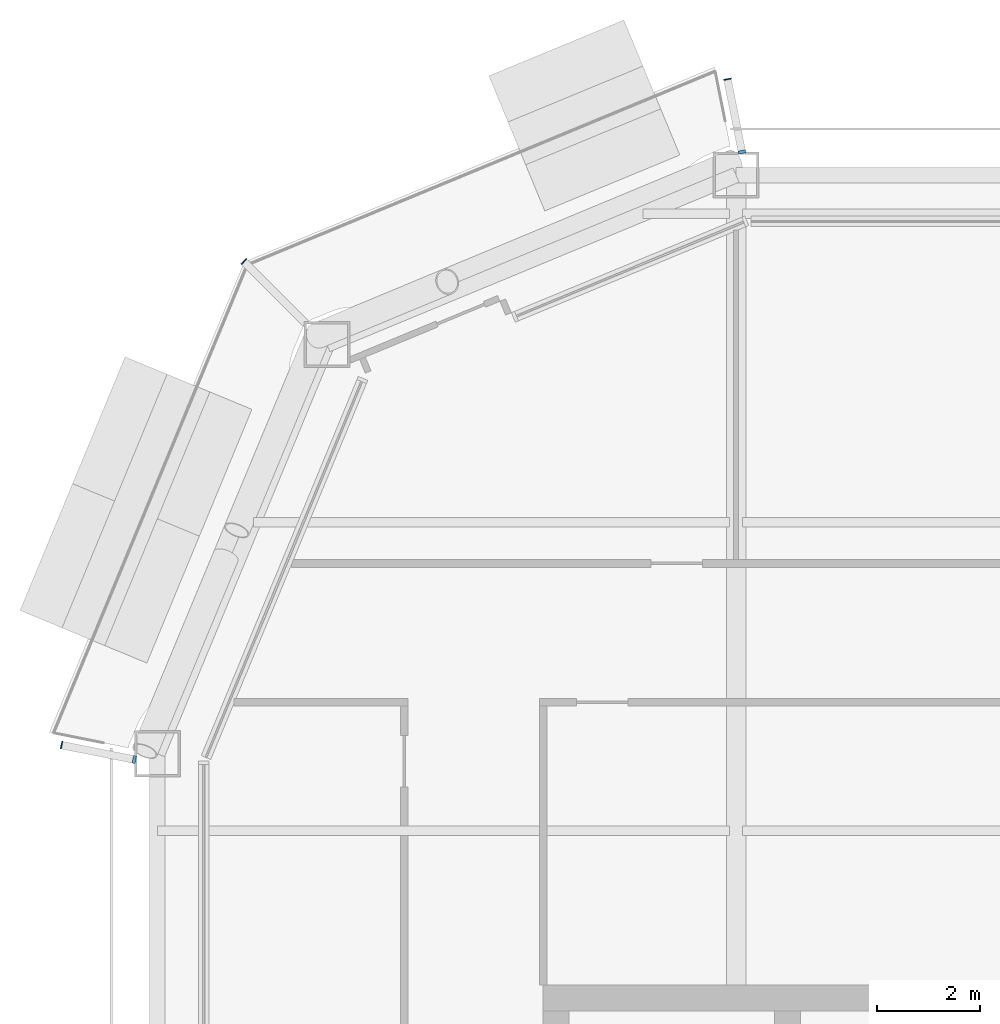
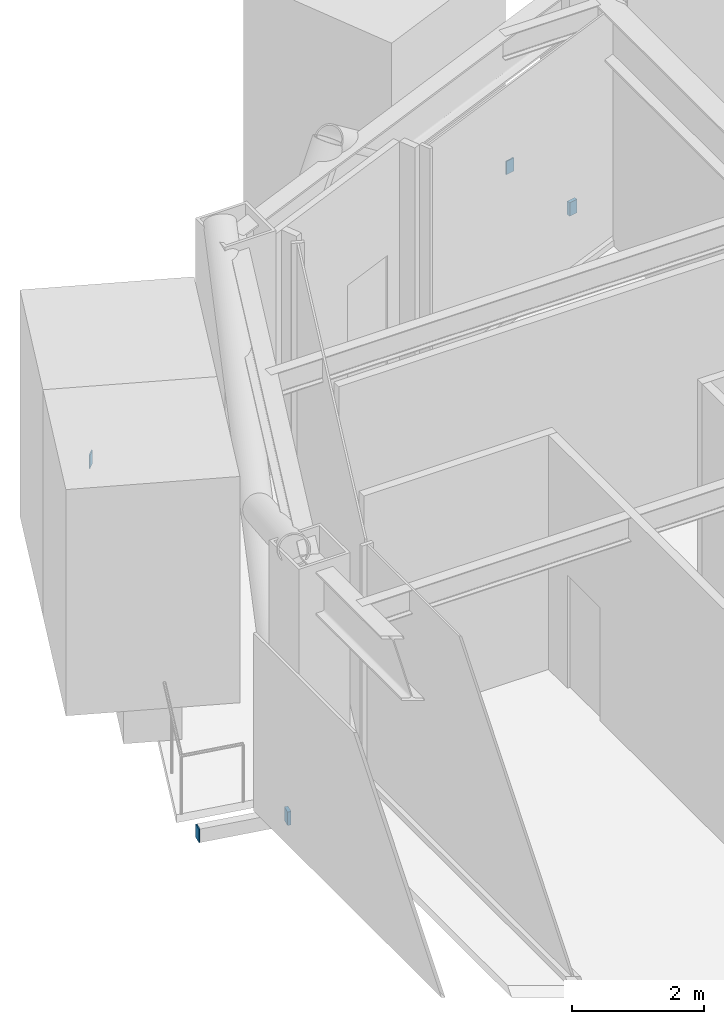
# One storey, part 16 of 23: 5 discrete accessories.
"""IFC4 building model written with IfcOpenShell, lengths in metres."""

from ifc_helpers import new_model, si_unit, direction, frame, origin, origin_2d, place, context, subcontext, project, spatial, rectangle, extrude, material, layer, layer_set, type_object, element, save


model = new_model("IFC4")

# Units and contexts
model_context = context("Model", 3, precision=1e-05, world=origin(), true_north=direction((0.0, 1.0)))
body_context = subcontext(model_context, "Body", "Model", "MODEL_VIEW")
ifc_project = project(units=[si_unit("LENGTHUNIT", "METRE"), si_unit("AREAUNIT", "SQUARE_METRE"), si_unit("VOLUMEUNIT", "CUBIC_METRE"), si_unit("PLANEANGLEUNIT", "RADIAN"), si_unit("MASSUNIT", "GRAM", prefix="KILO")], contexts=[model_context])

# Site, building, storey
site_placement = place(None, origin())
site = spatial("IfcSite", under=ifc_project, at=site_placement, CompositionType="ELEMENT")
building_placement = place(site_placement, origin())
building = spatial("IfcBuilding", under=site, at=building_placement, Name="Siwar Civic Tower", CompositionType="ELEMENT")
storey_placement = place(building_placement, frame((0.0, 0.0, 172.199951171875)))
storey = spatial("IfcBuildingStorey", under=building, at=storey_placement, Name="L37", CompositionType="ELEMENT", Elevation=172.199951171875)

# Discrete accessories
ifc_material_1 = material(Name="Stainless steel 316", Category="steel")
discrete_accessory_type_1 = type_object("IfcDiscreteAccessoryType", Name="ENV-BRACKET", PredefinedType="BRACKET", material=ifc_material_1)
for number, where, z_axis, x_axis, name in (
    (1, (-17.885498046875, 29.699951171875, -0.39990234375), (0.0, 0.0, 1.0), (-0.195090322016, 0.980785280403, 0.0), "Bracket balcony cantilever beam NW 1"),
    (2, (-29.699951171875, 17.885498046875, -0.39990234375), (0.0, 0.0, 1.0), (-0.980785280403, 0.195090322016, 0.0), "Bracket balcony cantilever beam NW 3"),
):
    element("IfcDiscreteAccessory", number, at=place(storey_placement, frame(where, z_axis=z_axis, x_axis=x_axis)), inside=storey, type_object=discrete_accessory_type_1, Name=name, PredefinedType="BRACKET", context=body_context, shape_type="SweptSolid", body=[
        extrude(rectangle(XDim=0.06005859375, YDim=0.14990234375, at=origin_2d()), origin(), (0.0, 0.0, 1.0), 0.25),
    ])
ifc_material_2 = material(Name="Steel S355", Category="steel")
ifc_layer = layer(ifc_material_2, 0.02001953125)
ifc_layer_set = layer_set([ifc_layer], Name="Steel S355")
discrete_accessory_type_2 = type_object("IfcDiscreteAccessoryType", Name="STR-END-CAP", PredefinedType="USERDEFINED", material=ifc_layer_set)
for number, where, z_axis, x_axis, name in (
    (3, (-18.1669921875, 31.114501953125, -0.39990234375), (0.0, 0.0, 1.0), (-0.195090321965, 0.980785280413, 0.0), "End cap plate Balcony cantilever beam NW 1"),
    (4, (-27.5693359375, 27.5693359375, -0.39990234375), (0.0, 0.0, 1.0), (-0.707106781187, 0.707106781187, 0.0), "End cap plate Balcony cantilever beam NW 2"),
    (5, (-31.114501953125, 18.1669921875, -0.39990234375), (0.0, 0.0, 1.0), (-0.980785280413, 0.195090321965, 0.0), "End cap plate Balcony cantilever beam NW 3"),
):
    element("IfcDiscreteAccessory", number, at=place(storey_placement, frame(where, z_axis=z_axis, x_axis=x_axis)), inside=storey, type_object=discrete_accessory_type_2, Name=name, ObjectType="END CAP PLATE", PredefinedType="USERDEFINED", context=body_context, shape_type="SweptSolid", body=[
        extrude(rectangle(XDim=0.02001953125, YDim=0.14990234375, at=origin_2d()), origin(), (0.0, 0.0, 1.0), 0.25),
    ])

save(model, "model.ifc")
